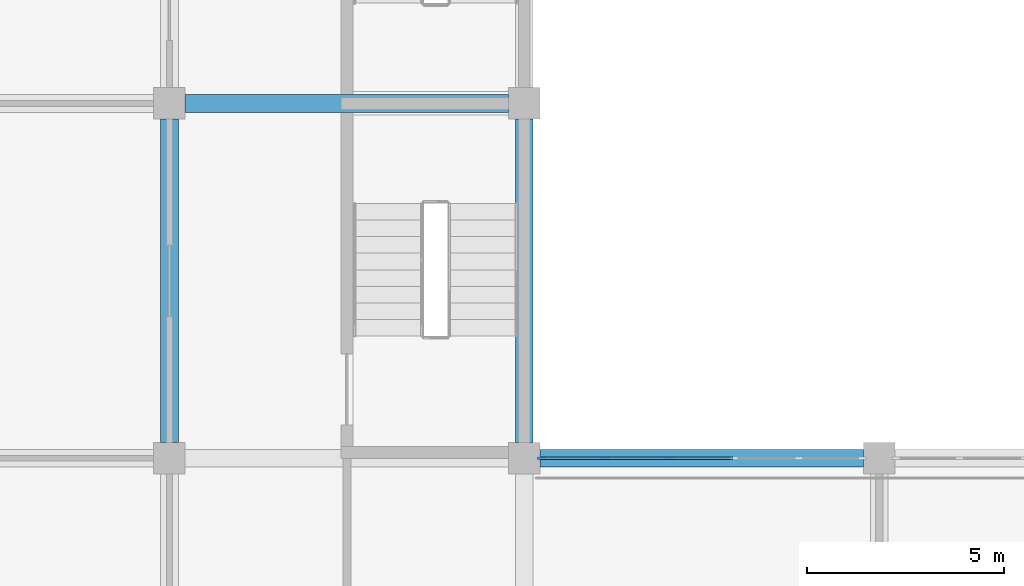
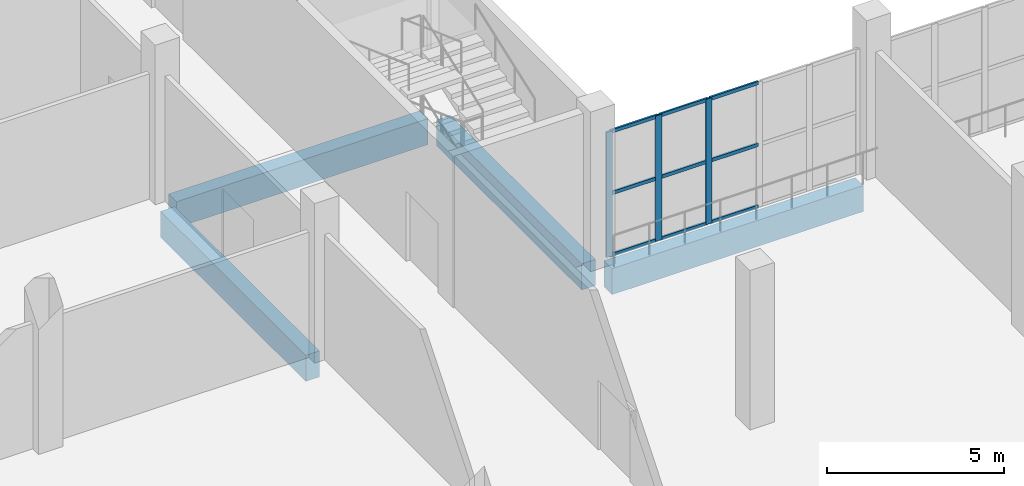
# One storey, part 20 of 185: 12 members, 4 beams, 1 element without a shape of its own.
"""IFC4 building model written with IfcOpenShell, lengths in metres."""

from ifc_helpers import new_model, si_unit, direction, frame, origin, origin_2d, place, context, subcontext, project, spatial, rectangle, extrude, material, layer, layer_set, material_profile, profile_set, type_object, element, aggregate, save


model = new_model("IFC4")

# Units and contexts
model_context = context("Model", 3, precision=1e-05, world=origin(), true_north=direction((0.0, 1.0)))
body_context = subcontext(model_context, "Body", "Model", "MODEL_VIEW")
ifc_project = project(units=[si_unit("LENGTHUNIT", "METRE"), si_unit("AREAUNIT", "SQUARE_METRE"), si_unit("VOLUMEUNIT", "CUBIC_METRE"), si_unit("PLANEANGLEUNIT", "RADIAN"), si_unit("MASSUNIT", "GRAM", prefix="KILO")], contexts=[model_context])

# Site, building, storey
site_placement = place(None, origin())
site = spatial("IfcSite", under=ifc_project, at=site_placement, CompositionType="ELEMENT")
building_placement = place(site_placement, origin())
building = spatial("IfcBuilding", under=site, at=building_placement, Name="Opaline Strait Convention Centre", CompositionType="ELEMENT")
storey_placement = place(building_placement, frame((0.0, 0.0, 6.0)))
storey = spatial("IfcBuildingStorey", under=building, at=storey_placement, Name="L01", CompositionType="ELEMENT", Elevation=6.0)

# Curtain wall, members
ifc_material_1 = material(Name="Aluminium framed double glazing", Category="aluminium")
ifc_layer = layer(ifc_material_1, 0.199951171875)
ifc_layer_set = layer_set([ifc_layer], Name="Aluminium framed double glazing")
curtain_wall_type = type_object("IfcCurtainWallType", Name="Curtain wall 1500 module", PredefinedType="NOTDEFINED", material=ifc_layer_set)
curtain_wall_placement = place(storey_placement, origin())
curtain_wall = element("IfcCurtainWall", 1, at=curtain_wall_placement, inside=storey, type_object=curtain_wall_type, Name="L01 court glazing Sc 1", PredefinedType="NOTDEFINED")
ifc_material_2 = material(Name="Aluminium alloy 6063", Category="aluminium")
ifc_material_profile_1 = material_profile(ifc_material_2, rectangle(XDim=0.06005859375, YDim=0.199951171875, at=origin_2d()), Name="Curtain wall mullion 60x200")
ifc_profile_set_1 = profile_set([ifc_material_profile_1], Name="Aluminium alloy 6063")
member_type_1 = type_object("IfcMemberType", Name="Curtain wall mullion 60x200", PredefinedType="MULLION", material=ifc_profile_set_1)
member_1_placement = place(storey_placement, frame((36.429931640625, 45.0, 0.0), z_axis=(0.0, 0.0, 1.0), x_axis=(0.0, 1.0, 0.0)))
member_1 = element("IfcMember", 2, at=member_1_placement, type_object=member_type_1, Name="RCW1 mullion 1", PredefinedType="MULLION", context=body_context, shape_type="SweptSolid", body=[
    extrude(rectangle(XDim=0.06005859375, YDim=0.199951171875, at=origin_2d()), origin(), (0.0, 0.0, 1.0), 4.320068359375),
])
member_2_placement = place(storey_placement, frame((38.0400390625, 45.0, 0.0), z_axis=(0.0, 0.0, 1.0), x_axis=(0.0, 1.0, 0.0)))
member_2 = element("IfcMember", 3, at=member_2_placement, type_object=member_type_1, Name="RCW1 mullion 2", PredefinedType="MULLION", context=body_context, shape_type="SweptSolid", body=[
    extrude(rectangle(XDim=0.06005859375, YDim=0.199951171875, at=origin_2d()), origin(), (0.0, 0.0, 1.0), 4.320068359375),
])
member_3_placement = place(storey_placement, frame((39.679931640625, 45.0, 0.0), z_axis=(0.0, 0.0, 1.0), x_axis=(0.0, 1.0, 0.0)))
member_3 = element("IfcMember", 4, at=member_3_placement, type_object=member_type_1, Name="RCW1 mullion 3", PredefinedType="MULLION", context=body_context, shape_type="SweptSolid", body=[
    extrude(rectangle(XDim=0.06005859375, YDim=0.199951171875, at=origin_2d()), origin(), (0.0, 0.0, 1.0), 4.320068359375),
])
ifc_material_profile_2 = material_profile(ifc_material_2, rectangle(XDim=0.06005859375, YDim=0.1201171875, at=origin_2d()), Name="Curtain wall transom 60x120")
ifc_profile_set_2 = profile_set([ifc_material_profile_2], Name="Aluminium alloy 6063")
member_type_2 = type_object("IfcMemberType", Name="Curtain wall transom 60x120", PredefinedType="USERDEFINED", material=ifc_profile_set_2)
member_4_placement = place(storey_placement, frame((36.4599609375, 45.0, 0.030029296875), z_axis=(1.0, 0.0, 0.0), x_axis=(0.0, 1.0, 0.0)))
member_4 = element("IfcMember", 5, at=member_4_placement, type_object=member_type_2, Name="RCW1 transom 1.1", ObjectType="TRANSOM", PredefinedType="USERDEFINED", context=body_context, shape_type="SweptSolid", body=[
    extrude(rectangle(XDim=0.06005859375, YDim=0.1201171875, at=origin_2d()), origin(), (0.0, 0.0, 1.0), 1.550048828125),
])
member_5_placement = place(storey_placement, frame((36.4599609375, 45.0, 2.159912109375), z_axis=(1.0, 0.0, 0.0), x_axis=(0.0, 1.0, 0.0)))
member_5 = element("IfcMember", 6, at=member_5_placement, type_object=member_type_2, Name="RCW1 transom 1.2", ObjectType="TRANSOM", PredefinedType="USERDEFINED", context=body_context, shape_type="SweptSolid", body=[
    extrude(rectangle(XDim=0.06005859375, YDim=0.1201171875, at=origin_2d()), origin(), (0.0, 0.0, 1.0), 1.550048828125),
])
member_6_placement = place(storey_placement, frame((36.4599609375, 45.0, 4.2900390625), z_axis=(1.0, 0.0, 0.0), x_axis=(0.0, 1.0, 0.0)))
member_6 = element("IfcMember", 7, at=member_6_placement, type_object=member_type_2, Name="RCW1 transom 1.3", ObjectType="TRANSOM", PredefinedType="USERDEFINED", context=body_context, shape_type="SweptSolid", body=[
    extrude(rectangle(XDim=0.06005859375, YDim=0.1201171875, at=origin_2d()), origin(), (0.0, 0.0, 1.0), 1.550048828125),
])
member_7_placement = place(storey_placement, frame((38.06982421875, 45.0, 0.030029296875), z_axis=(1.0, 0.0, 0.0), x_axis=(0.0, 1.0, 0.0)))
member_7 = element("IfcMember", 8, at=member_7_placement, type_object=member_type_2, Name="RCW1 transom 2.1", ObjectType="TRANSOM", PredefinedType="USERDEFINED", context=body_context, shape_type="SweptSolid", body=[
    extrude(rectangle(XDim=0.06005859375, YDim=0.1201171875, at=origin_2d()), origin(), (0.0, 0.0, 1.0), 1.580078125),
])
member_8_placement = place(storey_placement, frame((38.06982421875, 45.0, 2.159912109375), z_axis=(1.0, 0.0, 0.0), x_axis=(0.0, 1.0, 0.0)))
member_8 = element("IfcMember", 9, at=member_8_placement, type_object=member_type_2, Name="RCW1 transom 2.2", ObjectType="TRANSOM", PredefinedType="USERDEFINED", context=body_context, shape_type="SweptSolid", body=[
    extrude(rectangle(XDim=0.06005859375, YDim=0.1201171875, at=origin_2d()), origin(), (0.0, 0.0, 1.0), 1.580078125),
])
member_9_placement = place(storey_placement, frame((38.06982421875, 45.0, 4.2900390625), z_axis=(1.0, 0.0, 0.0), x_axis=(0.0, 1.0, 0.0)))
member_9 = element("IfcMember", 10, at=member_9_placement, type_object=member_type_2, Name="RCW1 transom 2.3", ObjectType="TRANSOM", PredefinedType="USERDEFINED", context=body_context, shape_type="SweptSolid", body=[
    extrude(rectangle(XDim=0.06005859375, YDim=0.1201171875, at=origin_2d()), origin(), (0.0, 0.0, 1.0), 1.580078125),
])
member_10_placement = place(storey_placement, frame((39.7099609375, 45.0, 0.030029296875), z_axis=(1.0, 0.0, 0.0), x_axis=(0.0, 1.0, 0.0)))
member_10 = element("IfcMember", 11, at=member_10_placement, type_object=member_type_2, Name="RCW1 transom 3.1", ObjectType="TRANSOM", PredefinedType="USERDEFINED", context=body_context, shape_type="SweptSolid", body=[
    extrude(rectangle(XDim=0.06005859375, YDim=0.1201171875, at=origin_2d()), origin(), (0.0, 0.0, 1.0), 1.580078125),
])
member_11_placement = place(storey_placement, frame((39.7099609375, 45.0, 2.159912109375), z_axis=(1.0, 0.0, 0.0), x_axis=(0.0, 1.0, 0.0)))
member_11 = element("IfcMember", 12, at=member_11_placement, type_object=member_type_2, Name="RCW1 transom 3.2", ObjectType="TRANSOM", PredefinedType="USERDEFINED", context=body_context, shape_type="SweptSolid", body=[
    extrude(rectangle(XDim=0.06005859375, YDim=0.1201171875, at=origin_2d()), origin(), (0.0, 0.0, 1.0), 1.580078125),
])
member_12_placement = place(storey_placement, frame((39.7099609375, 45.0, 4.2900390625), z_axis=(1.0, 0.0, 0.0), x_axis=(0.0, 1.0, 0.0)))
member_12 = element("IfcMember", 13, at=member_12_placement, type_object=member_type_2, Name="RCW1 transom 3.3", ObjectType="TRANSOM", PredefinedType="USERDEFINED", context=body_context, shape_type="SweptSolid", body=[
    extrude(rectangle(XDim=0.06005859375, YDim=0.1201171875, at=origin_2d()), origin(), (0.0, 0.0, 1.0), 1.580078125),
])
aggregate(curtain_wall, [member_1, member_2, member_3, member_4, member_5, member_6, member_7, member_8, member_9, member_10, member_11, member_12])

# Beams
ifc_material_3 = material(Name="Concrete C35", Category="concrete")
ifc_material_profile_3 = material_profile(ifc_material_3, rectangle(XDim=0.449951171875, YDim=0.89990234375, at=origin_2d()), Name="RC 450x900")
ifc_profile_set_3 = profile_set([ifc_material_profile_3], Name="Concrete C35")
beam_type = type_object("IfcBeamType", Name="RC beam 450x900 C35", PredefinedType="BEAM", material=ifc_profile_set_3)
for number, where, z_axis, x_axis, name in (
    (14, (36.39990234375, 45.0, -0.72998046875), (1.0, 0.0, 0.0), (0.0, 1.0, 0.0), "XB1 L01 36/45-45/45"),
    (15, (27.39990234375, 54.0, -0.72998046875), (1.0, 0.0, 0.0), (0.0, 1.0, 0.0), "XB1 L01 27/54-36/54"),
    (16, (27.0, 45.39990234375, -0.72998046875), (0.0, 1.0, 0.0), (-1.0, 0.0, 0.0), "XB1 L01 27/45-27/54"),
    (17, (36.0, 45.39990234375, -0.72998046875), (0.0, 1.0, 0.0), (-1.0, 0.0, 0.0), "XB1 L01 36/45-36/54"),
):
    element("IfcBeam", number, at=place(storey_placement, frame(where, z_axis=z_axis, x_axis=x_axis)), inside=storey, type_object=beam_type, Name=name, PredefinedType="BEAM", context=body_context, shape_type="SweptSolid", body=[
        extrude(rectangle(XDim=0.449951171875, YDim=0.89990234375, at=origin_2d()), origin(), (0.0, 0.0, 1.0), 8.2001953125),
    ])

save(model, "model.ifc")
